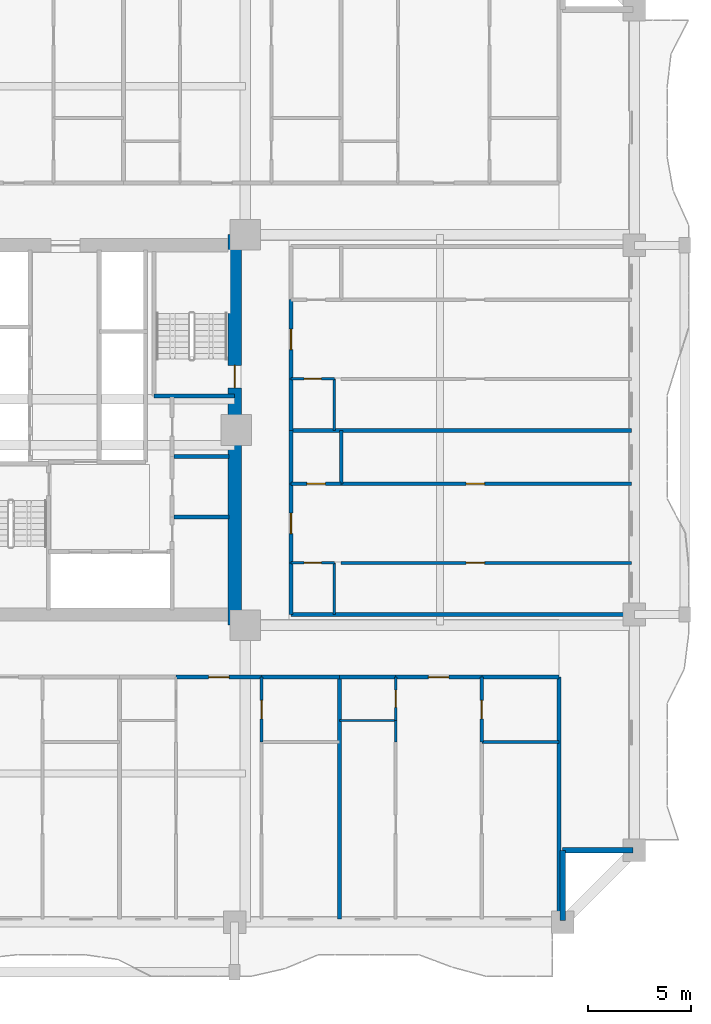
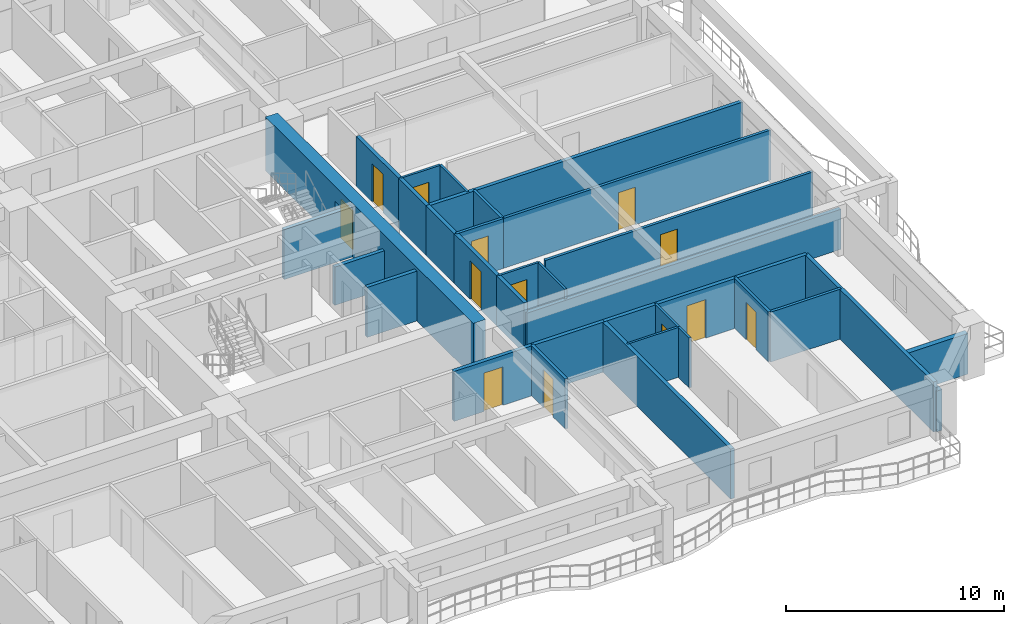
# One storey, part 5 of 16: 34 walls, 13 doors, 13 openings.
"""IFC4 building model written with IfcOpenShell, lengths in metres."""

from ifc_helpers import new_model, si_unit, direction, frame, frame_2d, origin, place, context, subcontext, project, spatial, rectangle, extrude, source, transform, mapped, material, layer, layer_set, type_object, element, fill, save


model = new_model("IFC4")

# Units and contexts
model_context = context("Model", 3, precision=1e-05, world=origin(), true_north=direction((0.0, 1.0)))
body_context = subcontext(model_context, "Body", "Model", "MODEL_VIEW")
ifc_project = project(units=[si_unit("LENGTHUNIT", "METRE"), si_unit("AREAUNIT", "SQUARE_METRE"), si_unit("VOLUMEUNIT", "CUBIC_METRE"), si_unit("PLANEANGLEUNIT", "RADIAN"), si_unit("MASSUNIT", "GRAM", prefix="KILO")], contexts=[model_context])

# Site, building, storey
site_placement = place(None, origin())
site = spatial("IfcSite", under=ifc_project, at=site_placement, CompositionType="ELEMENT")
building_placement = place(site_placement, origin())
building = spatial("IfcBuilding", under=site, at=building_placement, Name="Saelheon Loggia Tower", CompositionType="ELEMENT")
storey_placement = place(building_placement, frame((0.0, 0.0, 28.39990234375)))
storey = spatial("IfcBuildingStorey", under=building, at=storey_placement, Name="L08", CompositionType="ELEMENT", Elevation=28.39990234375)

# Wall, opening, door
ifc_material_1 = material(Name="Concrete C60/75", Category="concrete")
ifc_layer_1 = layer(ifc_material_1, 0.64990234375)
ifc_layer_set_1 = layer_set([ifc_layer_1], Name="Concrete C60/75")
wall_type_1 = type_object("IfcWallType", Name="Wall_CoreShear_650", PredefinedType="SHEAR", material=ifc_layer_set_1)
wall_1_placement = place(storey_placement, frame((44.5, 17.47998046875, 0.0), z_axis=(0.0, 0.0, 1.0), x_axis=(0.0, 1.0, 0.0)))
wall_1 = element("IfcWall", 1, at=wall_1_placement, inside=storey, type_object=wall_type_1, Name="L08 Core Shear Wall East", PredefinedType="SHEAR", context=body_context, shape_type="SweptSolid", body=[
    extrude(rectangle(XDim=19.0400390625, YDim=0.64990234375, at=frame_2d((9.52001953125, 0.0))), origin(), (0.0, 0.0, 1.0), 3.0),
])
opening_1_placement = place(wall_1_placement, frame((12.670166015625, 0.0, 0.0), z_axis=(0.0, 0.0, 1.0), x_axis=(-1.0, 0.0, 0.0)))
opening_1 = element("IfcOpeningElement", 2, at=opening_1_placement, cuts=wall_1, Name="Opening D-FD2", PredefinedType="OPENING", context=body_context, shape_type="SweptSolid", body=[
    extrude(rectangle(XDim=1.10009765625, YDim=2.14990234375, at=frame_2d((0.550048828125, 1.074951171875))), frame((0.0, 0.3369140625, 0.0), z_axis=(0.0, -1.0, 0.0), x_axis=(1.0, 0.0, 0.0)), (0.0, 0.0, 1.0), 0.673828125),
])
ifc_material_2 = material(Name="Galvanised Steel Fire Door", Category="steel")
door_type_1 = type_object("IfcDoorType", Name="Door_Fire_FD60_1100", OperationType="NOTDEFINED", PredefinedType="DOOR", material=ifc_material_2)
shared_shape_1 = source(origin(), body_context, "Body", "SweptSolid", [
    extrude(rectangle(XDim=1.10009765625, YDim=2.14990234375, at=frame_2d((0.550048828125, 1.074951171875))), frame((0.0, 0.02490234375, 0.0), z_axis=(0.0, -1.0, 0.0), x_axis=(1.0, 0.0, 0.0)), (0.0, 0.0, 1.0), 0.050048828125),
])
door_1_placement = place(opening_1_placement, origin())
door_1 = element("IfcDoor", 3, at=door_1_placement, inside=storey, type_object=door_type_1, Name="L08 Stair ST2 Corridor Door", OperationType="SINGLE_SWING_RIGHT", OverallHeight=2.14990234375, OverallWidth=1.10009765625, PredefinedType="DOOR", context=body_context, shape_type="MappedRepresentation", body=[
    mapped(shared_shape_1, transform((0.0, 0.0, 0.0), scale=1.0)),
])
fill(opening_1, door_1)

# Walls
ifc_material_3 = material(Name="Architectural Precast Concrete C40/50", Category="concrete")
ifc_layer_2 = layer(ifc_material_3, 0.280029296875)
ifc_layer_set_2 = layer_set([ifc_layer_2], Name="Architectural Precast Concrete C40/50")
wall_type_2 = type_object("IfcWallType", Name="Wall_Ext_Loggia_280", PredefinedType="SOLIDWALL", material=ifc_layer_set_2)
for number, where, z_axis, x_axis, name in (
    (4, (60.5, 3.080078125, 0.0), (0.0, 0.0, 1.0), (0.0, 1.0, 0.0), "L08 Corner Notch Precast Wall SE1"),
    (5, (60.5, 6.5, 0.0), (0.0, 0.0, 1.0), (1.0, 0.0, 0.0), "L08 Corner Notch Precast Wall SE2"),
):
    element("IfcWall", number, at=place(storey_placement, frame(where, z_axis=z_axis, x_axis=x_axis)), inside=storey, type_object=wall_type_2, Name=name, PredefinedType="SOLIDWALL", context=body_context, shape_type="SweptSolid", body=[
        extrude(rectangle(XDim=3.419921875, YDim=0.280029296875, at=frame_2d((1.7099609375, 0.0))), origin(), (0.0, 0.0, 1.0), 2.280029296875),
    ])

# Wall, opening, door
ifc_material_4 = material(Name="Lightweight Autoclaved Aerated Concrete Block and Acoustic Gypsum", Category="concrete")
ifc_layer_3 = layer(ifc_material_4, 0.14990234375)
ifc_layer_set_3 = layer_set([ifc_layer_3], Name="Lightweight Autoclaved Aerated Concrete Block and Acoustic Gypsum")
wall_type_3 = type_object("IfcWallType", Name="Wall_Part_150", PredefinedType="PARTITIONING", material=ifc_layer_set_3)
wall_2_placement = place(storey_placement, frame((45.820068359375, 14.949951171875, 0.0), z_axis=(0.0, 0.0, 1.0), x_axis=(0.0, -1.0, 0.0)))
wall_2 = element("IfcWall", 6, at=wall_2_placement, inside=storey, type_object=wall_type_3, Name="L08 S Partition U35", PredefinedType="PARTITIONING", context=body_context, shape_type="SweptSolid", body=[
    extrude(rectangle(XDim=3.169921875, YDim=0.14990234375, at=frame_2d((1.5849609375, 0.0))), origin(), (0.0, 0.0, 1.0), 2.7900390625),
])
opening_2_placement = place(wall_2_placement, frame((1.135009765625, 0.0, 0.0)))
opening_2 = element("IfcOpeningElement", 7, at=opening_2_placement, cuts=wall_2, Name="Opening D-IN2", PredefinedType="OPENING", context=body_context, shape_type="SweptSolid", body=[
    extrude(rectangle(XDim=0.89990234375, YDim=2.10009765625, at=frame_2d((0.449951171875, 1.050048828125))), frame((0.0, 0.0869140625, 0.0), z_axis=(0.0, -1.0, 0.0), x_axis=(1.0, 0.0, 0.0)), (0.0, 0.0, 1.0), 0.173828125),
])
ifc_material_5 = material(Name="Engineered Oak Flush Door", Category="timber")
door_type_2 = type_object("IfcDoorType", Name="Door_Int_900", OperationType="NOTDEFINED", PredefinedType="DOOR", material=ifc_material_5)
shared_shape_2 = source(origin(), body_context, "Body", "SweptSolid", [
    extrude(rectangle(XDim=0.89990234375, YDim=2.10009765625, at=frame_2d((0.449951171875, 1.050048828125))), frame((0.0, 0.02490234375, 0.0), z_axis=(0.0, -1.0, 0.0), x_axis=(1.0, 0.0, 0.0)), (0.0, 0.0, 1.0), 0.050048828125),
])
door_2_placement = place(opening_2_placement, origin())
door_2 = element("IfcDoor", 8, at=door_2_placement, inside=storey, type_object=door_type_2, Name="Unit U03 Dressing Closet Door", OperationType="SINGLE_SWING_LEFT", OverallHeight=2.10009765625, OverallWidth=0.89990234375, PredefinedType="DOOR", context=body_context, shape_type="MappedRepresentation", body=[
    mapped(shared_shape_2, transform((0.0, 0.0, 0.0), scale=1.0)),
])
fill(opening_2, door_2)

# Wall
wall_3_placement = place(storey_placement, frame((56.55419921875, 11.780029296875, 0.0), z_axis=(0.0, 0.0, 1.0), x_axis=(1.0, 0.0, 0.0)))
element("IfcWall", 9, at=wall_3_placement, inside=storey, type_object=wall_type_3, Name="L08 S Partition V42", PredefinedType="PARTITIONING", context=body_context, shape_type="SweptSolid", body=[
    extrude(rectangle(XDim=3.765869140625, YDim=0.14990234375, at=frame_2d((1.8828125, 0.0))), origin(), (0.0, 0.0, 1.0), 2.7900390625),
])

# Wall, opening, door
wall_4_placement = place(storey_placement, frame((56.55419921875, 14.949951171875, 0.0), z_axis=(0.0, 0.0, 1.0), x_axis=(0.0, -1.0, 0.0)))
wall_4 = element("IfcWall", 10, at=wall_4_placement, inside=storey, type_object=wall_type_3, Name="L08 S Partition U46", PredefinedType="PARTITIONING", context=body_context, shape_type="SweptSolid", body=[
    extrude(rectangle(XDim=3.169921875, YDim=0.14990234375, at=frame_2d((1.5849609375, 0.0))), origin(), (0.0, 0.0, 1.0), 2.7900390625),
])
opening_3_placement = place(wall_4_placement, frame((1.135009765625, 0.0, 0.0)))
opening_3 = element("IfcOpeningElement", 11, at=opening_3_placement, cuts=wall_4, Name="Opening D-IN2", PredefinedType="OPENING", context=body_context, shape_type="SweptSolid", body=[
    extrude(rectangle(XDim=0.89990234375, YDim=2.10009765625, at=frame_2d((0.449951171875, 1.050048828125))), frame((0.0, 0.0869140625, 0.0), z_axis=(0.0, -1.0, 0.0), x_axis=(1.0, 0.0, 0.0)), (0.0, 0.0, 1.0), 0.173828125),
])
door_3_placement = place(opening_3_placement, origin())
door_3 = element("IfcDoor", 12, at=door_3_placement, inside=storey, type_object=door_type_2, Name="Unit U04 Dressing Closet Door", OperationType="SINGLE_SWING_RIGHT", OverallHeight=2.10009765625, OverallWidth=0.89990234375, PredefinedType="DOOR", context=body_context, shape_type="MappedRepresentation", body=[
    mapped(shared_shape_2, transform((0.0, 0.0, 0.0), scale=1.0)),
])
fill(opening_3, door_3)

# Wall
wall_5_placement = place(storey_placement, frame((49.699951171875, 24.375, 0.0), z_axis=(0.0, 0.0, 1.0), x_axis=(0.0, 1.0, 0.0)))
element("IfcWall", 13, at=wall_5_placement, inside=storey, type_object=wall_type_3, Name="L08 E Partition V07", PredefinedType="PARTITIONING", context=body_context, shape_type="SweptSolid", body=[
    extrude(rectangle(XDim=2.60009765625, YDim=0.14990234375, at=frame_2d((1.300048828125, 0.0))), origin(), (0.0, 0.0, 1.0), 2.7900390625),
])

# Wall, opening, door
wall_6_placement = place(storey_placement, frame((49.699951171875, 20.512939453125, 0.0), z_axis=(0.0, 0.0, 1.0), x_axis=(1.0, 0.0, 0.0)))
wall_6 = element("IfcWall", 14, at=wall_6_placement, inside=storey, type_object=wall_type_3, Name="L08 E Partition U09", PredefinedType="PARTITIONING", context=body_context, shape_type="SweptSolid", body=[
    extrude(rectangle(XDim=14.150146484375, YDim=0.14990234375, at=frame_2d((7.0751953125, 0.0))), origin(), (0.0, 0.0, 1.0), 2.7900390625),
])
opening_4_placement = place(wall_6_placement, frame((6.093017578125, 0.0, 0.0)))
opening_4 = element("IfcOpeningElement", 15, at=opening_4_placement, cuts=wall_6, Name="Opening D-IN2", PredefinedType="OPENING", context=body_context, shape_type="SweptSolid", body=[
    extrude(rectangle(XDim=0.89990234375, YDim=2.10009765625, at=frame_2d((0.449951171875, 1.050048828125))), frame((0.0, 0.0869140625, 0.0), z_axis=(0.0, -1.0, 0.0), x_axis=(1.0, 0.0, 0.0)), (0.0, 0.0, 1.0), 0.173828125),
])
door_4_placement = place(opening_4_placement, origin())
door_4 = element("IfcDoor", 16, at=door_4_placement, inside=storey, type_object=door_type_2, Name="Unit U12 Kitchen Door", OperationType="SINGLE_SWING_RIGHT", OverallHeight=2.10009765625, OverallWidth=0.89990234375, PredefinedType="DOOR", context=body_context, shape_type="MappedRepresentation", body=[
    mapped(shared_shape_2, transform((0.0, 0.0, 0.0), scale=1.0)),
])
fill(opening_4, door_4)

wall_7_placement = place(storey_placement, frame((47.25, 24.375, 0.0), z_axis=(0.0, 0.0, 1.0), x_axis=(1.0, 0.0, 0.0)))
wall_7 = element("IfcWall", 17, at=wall_7_placement, inside=storey, type_object=wall_type_3, Name="L08 E Partition U10", PredefinedType="PARTITIONING", context=body_context, shape_type="SweptSolid", body=[
    extrude(rectangle(XDim=2.449951171875, YDim=0.14990234375, at=frame_2d((1.22509765625, 0.0))), origin(), (0.0, 0.0, 1.0), 2.7900390625),
])
opening_5_placement = place(wall_7_placement, frame((0.77490234375, 0.0, 0.0)))
opening_5 = element("IfcOpeningElement", 18, at=opening_5_placement, cuts=wall_7, Name="Opening D-IN2", PredefinedType="OPENING", context=body_context, shape_type="SweptSolid", body=[
    extrude(rectangle(XDim=0.89990234375, YDim=2.10009765625, at=frame_2d((0.449951171875, 1.050048828125))), frame((0.0, 0.0869140625, 0.0), z_axis=(0.0, -1.0, 0.0), x_axis=(1.0, 0.0, 0.0)), (0.0, 0.0, 1.0), 0.173828125),
])
door_5_placement = place(opening_5_placement, origin())
door_5 = element("IfcDoor", 19, at=door_5_placement, inside=storey, type_object=door_type_2, Name="Unit U12 Dressing Closet Door", OperationType="SINGLE_SWING_LEFT", OverallHeight=2.10009765625, OverallWidth=0.89990234375, PredefinedType="DOOR", context=body_context, shape_type="MappedRepresentation", body=[
    mapped(shared_shape_2, transform((0.0, 0.0, 0.0), scale=1.0)),
])
fill(opening_5, door_5)

wall_8_placement = place(storey_placement, frame((49.699951171875, 24.375, 0.0), z_axis=(0.0, 0.0, 1.0), x_axis=(1.0, 0.0, 0.0)))
wall_8 = element("IfcWall", 20, at=wall_8_placement, inside=storey, type_object=wall_type_3, Name="L08 E Partition U11", PredefinedType="PARTITIONING", context=body_context, shape_type="SweptSolid", body=[
    extrude(rectangle(XDim=14.150146484375, YDim=0.14990234375, at=frame_2d((7.0751953125, 0.0))), origin(), (0.0, 0.0, 1.0), 2.7900390625),
])
opening_6_placement = place(wall_8_placement, frame((6.093017578125, 0.0, 0.0)))
opening_6 = element("IfcOpeningElement", 21, at=opening_6_placement, cuts=wall_8, Name="Opening D-IN2", PredefinedType="OPENING", context=body_context, shape_type="SweptSolid", body=[
    extrude(rectangle(XDim=0.89990234375, YDim=2.10009765625, at=frame_2d((0.449951171875, 1.050048828125))), frame((0.0, 0.0869140625, 0.0), z_axis=(0.0, -1.0, 0.0), x_axis=(1.0, 0.0, 0.0)), (0.0, 0.0, 1.0), 0.173828125),
])
door_6_placement = place(opening_6_placement, origin())
door_6 = element("IfcDoor", 22, at=door_6_placement, inside=storey, type_object=door_type_2, Name="Unit U12 Bedroom 1 Door", OperationType="SINGLE_SWING_RIGHT", OverallHeight=2.10009765625, OverallWidth=0.89990234375, PredefinedType="DOOR", context=body_context, shape_type="MappedRepresentation", body=[
    mapped(shared_shape_2, transform((0.0, 0.0, 0.0), scale=1.0)),
])
fill(opening_6, door_6)

# Wall
ifc_material_6 = material(Name="Double Acoustic Stud and Fireboard Partition", Category="gypsum")
ifc_layer_4 = layer(ifc_material_6, 0.199951171875)
ifc_layer_set_4 = layer_set([ifc_layer_4], Name="Double Acoustic Stud and Fireboard Partition")
wall_type_4 = type_object("IfcWallType", Name="Wall_Party_200", PredefinedType="PARTITIONING", material=ifc_layer_set_4)
wall_9_placement = place(storey_placement, frame((60.320068359375, 14.949951171875, 0.0), z_axis=(0.0, 0.0, 1.0), x_axis=(0.0, -1.0, 0.0)))
element("IfcWall", 23, at=wall_9_placement, inside=storey, type_object=wall_type_4, Name="L08 S Partition U02", PredefinedType="PARTITIONING", context=body_context, shape_type="SweptSolid", body=[
    extrude(rectangle(XDim=11.800048828125, YDim=0.199951171875, at=frame_2d((5.89990234375, 0.0))), origin(), (0.0, 0.0, 1.0), 2.7900390625),
])

# Wall, opening, door
wall_10_placement = place(storey_placement, frame((41.642822265625, 14.949951171875, 0.0), z_axis=(0.0, 0.0, 1.0), x_axis=(1.0, 0.0, 0.0)))
wall_10 = element("IfcWall", 24, at=wall_10_placement, inside=storey, type_object=wall_type_4, Name="L08 S Partition V28", PredefinedType="PARTITIONING", context=body_context, shape_type="SweptSolid", body=[
    extrude(rectangle(XDim=4.17724609375, YDim=0.199951171875, at=frame_2d((2.088623046875, 0.0))), origin(), (0.0, 0.0, 1.0), 2.7900390625),
])
opening_7_placement = place(wall_10_placement, frame((1.588623046875, 0.0, 0.0)))
opening_7 = element("IfcOpeningElement", 25, at=opening_7_placement, cuts=wall_10, Name="Opening D-FD1", PredefinedType="OPENING", context=body_context, shape_type="SweptSolid", body=[
    extrude(rectangle(XDim=1.0, YDim=2.14990234375, at=frame_2d((0.5, 1.074951171875))), frame((0.0, 0.112060546875, 0.0), z_axis=(0.0, -1.0, 0.0), x_axis=(1.0, 0.0, 0.0)), (0.0, 0.0, 1.0), 0.223876953125),
])
ifc_material_7 = material(Name="Fire-Rated Engineered Timber Entrance Door", Category="wood")
door_type_3 = type_object("IfcDoorType", Name="Door_Flat_FD30S", OperationType="NOTDEFINED", PredefinedType="DOOR", material=ifc_material_7)
shared_shape_3 = source(origin(), body_context, "Body", "SweptSolid", [
    extrude(rectangle(XDim=1.0, YDim=2.14990234375, at=frame_2d((0.5, 1.074951171875))), frame((0.0, 0.02490234375, 0.0), z_axis=(0.0, -1.0, 0.0), x_axis=(1.0, 0.0, 0.0)), (0.0, 0.0, 1.0), 0.050048828125),
])
door_7_placement = place(opening_7_placement, origin())
door_7 = element("IfcDoor", 26, at=door_7_placement, inside=storey, type_object=door_type_3, Name="Unit U03 Entrance Door", OperationType="SINGLE_SWING_RIGHT", OverallHeight=2.14990234375, OverallWidth=1.0, PredefinedType="DOOR", context=body_context, shape_type="MappedRepresentation", body=[
    mapped(shared_shape_3, transform((0.0, 0.0, 0.0), scale=1.0)),
])
fill(opening_7, door_7)

# Walls
wall_11_placement = place(storey_placement, frame((45.820068359375, 14.949951171875, 0.0), z_axis=(0.0, 0.0, 1.0), x_axis=(1.0, 0.0, 0.0)))
element("IfcWall", 27, at=wall_11_placement, inside=storey, type_object=wall_type_4, Name="L08 S Partition V29", PredefinedType="PARTITIONING", context=body_context, shape_type="SweptSolid", body=[
    extrude(rectangle(XDim=3.786376953125, YDim=0.199951171875, at=frame_2d((1.89306640625, 0.0))), origin(), (0.0, 0.0, 1.0), 2.7900390625),
])
wall_12_placement = place(storey_placement, frame((49.6064453125, 14.949951171875, 0.0), z_axis=(0.0, 0.0, 1.0), x_axis=(0.0, -1.0, 0.0)))
element("IfcWall", 28, at=wall_12_placement, inside=storey, type_object=wall_type_4, Name="L08 S Partition U37", PredefinedType="PARTITIONING", context=body_context, shape_type="SweptSolid", body=[
    extrude(rectangle(XDim=11.800048828125, YDim=0.199951171875, at=frame_2d((5.89990234375, 0.0))), origin(), (0.0, 0.0, 1.0), 2.7900390625),
])
wall_13_placement = place(storey_placement, frame((49.6064453125, 14.949951171875, 0.0), z_axis=(0.0, 0.0, 1.0), x_axis=(1.0, 0.0, 0.0)))
element("IfcWall", 29, at=wall_13_placement, inside=storey, type_object=wall_type_4, Name="L08 S Partition V38", PredefinedType="PARTITIONING", context=body_context, shape_type="SweptSolid", body=[
    extrude(rectangle(XDim=2.75, YDim=0.199951171875, at=frame_2d((1.375, 0.0))), origin(), (0.0, 0.0, 1.0), 2.7900390625),
])

# Wall, opening, door
wall_14_placement = place(storey_placement, frame((52.3564453125, 14.949951171875, 0.0), z_axis=(0.0, 0.0, 1.0), x_axis=(1.0, 0.0, 0.0)))
wall_14 = element("IfcWall", 30, at=wall_14_placement, inside=storey, type_object=wall_type_4, Name="L08 S Partition V39", PredefinedType="PARTITIONING", context=body_context, shape_type="SweptSolid", body=[
    extrude(rectangle(XDim=4.19775390625, YDim=0.199951171875, at=frame_2d((2.098876953125, 0.0))), origin(), (0.0, 0.0, 1.0), 2.7900390625),
])
opening_8_placement = place(wall_14_placement, frame((1.598876953125, 0.0, 0.0)))
opening_8 = element("IfcOpeningElement", 31, at=opening_8_placement, cuts=wall_14, Name="Opening D-FD1", PredefinedType="OPENING", context=body_context, shape_type="SweptSolid", body=[
    extrude(rectangle(XDim=1.0, YDim=2.14990234375, at=frame_2d((0.5, 1.074951171875))), frame((0.0, 0.112060546875, 0.0), z_axis=(0.0, -1.0, 0.0), x_axis=(1.0, 0.0, 0.0)), (0.0, 0.0, 1.0), 0.223876953125),
])
door_8_placement = place(opening_8_placement, origin())
door_8 = element("IfcDoor", 32, at=door_8_placement, inside=storey, type_object=door_type_3, Name="Unit U04 Entrance Door", OperationType="SINGLE_SWING_LEFT", OverallHeight=2.14990234375, OverallWidth=1.0, PredefinedType="DOOR", context=body_context, shape_type="MappedRepresentation", body=[
    mapped(shared_shape_3, transform((0.0, 0.0, 0.0), scale=1.0)),
])
fill(opening_8, door_8)

# Walls
wall_15_placement = place(storey_placement, frame((56.55419921875, 14.949951171875, 0.0), z_axis=(0.0, 0.0, 1.0), x_axis=(1.0, 0.0, 0.0)))
element("IfcWall", 33, at=wall_15_placement, inside=storey, type_object=wall_type_4, Name="L08 S Partition V40", PredefinedType="PARTITIONING", context=body_context, shape_type="SweptSolid", body=[
    extrude(rectangle(XDim=3.765869140625, YDim=0.199951171875, at=frame_2d((1.8828125, 0.0))), origin(), (0.0, 0.0, 1.0), 2.7900390625),
])
wall_16_placement = place(storey_placement, frame((47.25, 18.0, 0.0), z_axis=(0.0, 0.0, 1.0), x_axis=(1.0, 0.0, 0.0)))
element("IfcWall", 34, at=wall_16_placement, inside=storey, type_object=wall_type_4, Name="L08 E Partition U01", PredefinedType="PARTITIONING", context=body_context, shape_type="SweptSolid", body=[
    extrude(rectangle(XDim=16.60009765625, YDim=0.199951171875, at=frame_2d((8.300048828125, 0.0))), origin(), (0.0, 0.0, 1.0), 2.239990234375),
])
wall_17_placement = place(storey_placement, frame((47.25, 18.0, 0.0), z_axis=(0.0, 0.0, 1.0), x_axis=(0.0, 1.0, 0.0)))
element("IfcWall", 35, at=wall_17_placement, inside=storey, type_object=wall_type_4, Name="L08 E Partition V03", PredefinedType="PARTITIONING", context=body_context, shape_type="SweptSolid", body=[
    extrude(rectangle(XDim=2.512939453125, YDim=0.199951171875, at=frame_2d((1.25634765625, 0.0))), origin(), (0.0, 0.0, 1.0), 2.7900390625),
])

# Wall, opening, door
wall_18_placement = place(storey_placement, frame((47.25, 20.512939453125, 0.0), z_axis=(0.0, 0.0, 1.0), x_axis=(0.0, 1.0, 0.0)))
wall_18 = element("IfcWall", 36, at=wall_18_placement, inside=storey, type_object=wall_type_4, Name="L08 E Partition V04", PredefinedType="PARTITIONING", context=body_context, shape_type="SweptSolid", body=[
    extrude(rectangle(XDim=3.862060546875, YDim=0.199951171875, at=frame_2d((1.93115234375, 0.0))), origin(), (0.0, 0.0, 1.0), 2.7900390625),
])
opening_9_placement = place(wall_18_placement, frame((1.430908203125, 0.0, 0.0)))
opening_9 = element("IfcOpeningElement", 37, at=opening_9_placement, cuts=wall_18, Name="Opening D-FD1", PredefinedType="OPENING", context=body_context, shape_type="SweptSolid", body=[
    extrude(rectangle(XDim=1.0, YDim=2.14990234375, at=frame_2d((0.5, 1.074951171875))), frame((0.0, 0.112060546875, 0.0), z_axis=(0.0, -1.0, 0.0), x_axis=(1.0, 0.0, 0.0)), (0.0, 0.0, 1.0), 0.223876953125),
])
door_9_placement = place(opening_9_placement, origin())
door_9 = element("IfcDoor", 38, at=door_9_placement, inside=storey, type_object=door_type_3, Name="Unit U12 Entrance Door", OperationType="SINGLE_SWING_RIGHT", OverallHeight=2.14990234375, OverallWidth=1.0, PredefinedType="DOOR", context=body_context, shape_type="MappedRepresentation", body=[
    mapped(shared_shape_3, transform((0.0, 0.0, 0.0), scale=1.0)),
])
fill(opening_9, door_9)

# Walls
wall_19_placement = place(storey_placement, frame((47.25, 24.375, 0.0), z_axis=(0.0, 0.0, 1.0), x_axis=(0.0, 1.0, 0.0)))
element("IfcWall", 39, at=wall_19_placement, inside=storey, type_object=wall_type_4, Name="L08 E Partition V05", PredefinedType="PARTITIONING", context=body_context, shape_type="SweptSolid", body=[
    extrude(rectangle(XDim=2.60009765625, YDim=0.199951171875, at=frame_2d((1.300048828125, 0.0))), origin(), (0.0, 0.0, 1.0), 2.7900390625),
])
wall_20_placement = place(storey_placement, frame((47.25, 26.97509765625, 0.0), z_axis=(0.0, 0.0, 1.0), x_axis=(1.0, 0.0, 0.0)))
element("IfcWall", 40, at=wall_20_placement, inside=storey, type_object=wall_type_4, Name="L08 E Partition U12", PredefinedType="PARTITIONING", context=body_context, shape_type="SweptSolid", body=[
    extrude(rectangle(XDim=16.60009765625, YDim=0.199951171875, at=frame_2d((8.300048828125, 0.0))), origin(), (0.0, 0.0, 1.0), 2.7900390625),
])
wall_21_placement = place(storey_placement, frame((47.25, 26.97509765625, 0.0), z_axis=(0.0, 0.0, 1.0), x_axis=(0.0, 1.0, 0.0)))
element("IfcWall", 41, at=wall_21_placement, inside=storey, type_object=wall_type_4, Name="L08 E Partition V13", PredefinedType="PARTITIONING", context=body_context, shape_type="SweptSolid", body=[
    extrude(rectangle(XDim=2.512939453125, YDim=0.199951171875, at=frame_2d((1.25634765625, 0.0))), origin(), (0.0, 0.0, 1.0), 2.7900390625),
])

# Wall, opening, door
wall_22_placement = place(storey_placement, frame((47.25, 29.488037109375, 0.0), z_axis=(0.0, 0.0, 1.0), x_axis=(0.0, 1.0, 0.0)))
wall_22 = element("IfcWall", 42, at=wall_22_placement, inside=storey, type_object=wall_type_4, Name="L08 E Partition V14", PredefinedType="PARTITIONING", context=body_context, shape_type="SweptSolid", body=[
    extrude(rectangle(XDim=3.862060546875, YDim=0.199951171875, at=frame_2d((1.93115234375, 0.0))), origin(), (0.0, 0.0, 1.0), 2.7900390625),
])
opening_10_placement = place(wall_22_placement, frame((1.430908203125, 0.0, 0.0)))
opening_10 = element("IfcOpeningElement", 43, at=opening_10_placement, cuts=wall_22, Name="Opening D-FD1", PredefinedType="OPENING", context=body_context, shape_type="SweptSolid", body=[
    extrude(rectangle(XDim=1.0, YDim=2.14990234375, at=frame_2d((0.5, 1.074951171875))), frame((0.0, 0.112060546875, 0.0), z_axis=(0.0, -1.0, 0.0), x_axis=(1.0, 0.0, 0.0)), (0.0, 0.0, 1.0), 0.223876953125),
])
door_10_placement = place(opening_10_placement, origin())
door_10 = element("IfcDoor", 44, at=door_10_placement, inside=storey, type_object=door_type_3, Name="Unit U13 Entrance Door", OperationType="SINGLE_SWING_LEFT", OverallHeight=2.14990234375, OverallWidth=1.0, PredefinedType="DOOR", context=body_context, shape_type="MappedRepresentation", body=[
    mapped(shared_shape_3, transform((0.0, 0.0, 0.0), scale=1.0)),
])
fill(opening_10, door_10)

# Walls
ifc_material_8 = material(Name="Concrete C40/50", Category="concrete")
ifc_layer_5 = layer(ifc_material_8, 0.199951171875)
ifc_layer_set_5 = layer_set([ifc_layer_5], Name="Concrete C40/50")
wall_type_5 = type_object("IfcWallType", Name="Wall_Shaft_200", PredefinedType="PARTITIONING", material=ifc_layer_set_5)
wall_23_placement = place(storey_placement, frame((41.550048828125, 22.75, 0.0), z_axis=(0.0, 0.0, 1.0), x_axis=(1.0, 0.0, 0.0)))
element("IfcWall", 45, at=wall_23_placement, inside=storey, type_object=wall_type_5, Name="CW-BOH-L08-H1", PredefinedType="PARTITIONING", context=body_context, shape_type="SweptSolid", body=[
    extrude(rectangle(XDim=2.669921875, YDim=0.199951171875, at=frame_2d((1.3349609375, 0.0))), origin(), (0.0, 0.0, 1.0), 2.7900390625),
])
wall_24_placement = place(storey_placement, frame((41.550048828125, 25.699951171875, 0.0), z_axis=(0.0, 0.0, 1.0), x_axis=(1.0, 0.0, 0.0)))
element("IfcWall", 46, at=wall_24_placement, inside=storey, type_object=wall_type_5, Name="CW-BOH-L08-H2", PredefinedType="PARTITIONING", context=body_context, shape_type="SweptSolid", body=[
    extrude(rectangle(XDim=2.669921875, YDim=0.199951171875, at=frame_2d((1.3349609375, 0.0))), origin(), (0.0, 0.0, 1.0), 2.14013671875),
])
ifc_material_9 = material(Name="Concrete C45/55", Category="concrete")
ifc_layer_6 = layer(ifc_material_9, 0.199951171875)
ifc_layer_set_6 = layer_set([ifc_layer_6], Name="Concrete C45/55")
wall_type_6 = type_object("IfcWallType", Name="Wall_StairShaft_RC200", PredefinedType="SOLIDWALL", material=ifc_layer_set_6)
wall_25_placement = place(storey_placement, frame((40.570068359375, 28.64990234375, 0.0), z_axis=(0.0, 0.0, 1.0), x_axis=(1.0, 0.0, 0.0)))
element("IfcWall", 47, at=wall_25_placement, inside=storey, type_object=wall_type_6, Name="L08 Stair ST2 South Wall", PredefinedType="SOLIDWALL", context=body_context, shape_type="SweptSolid", body=[
    extrude(rectangle(XDim=3.929931640625, YDim=0.199951171875, at=frame_2d((1.96484375, 0.0))), origin(), (0.0, 0.0, 1.0), 2.7900390625),
])
ifc_material_10 = material(Name="Moisture-Resistant Cement Board Partition", Category="gypsum")
ifc_layer_7 = layer(ifc_material_10, 0.1201171875)
ifc_layer_set_7 = layer_set([ifc_layer_7], Name="Moisture-Resistant Cement Board Partition")
wall_type_7 = type_object("IfcWallType", Name="Wall_WetPart_120", PredefinedType="PARTITIONING", material=ifc_layer_set_7)
wall_26_placement = place(storey_placement, frame((49.6064453125, 12.830078125, 0.0), z_axis=(0.0, 0.0, 1.0), x_axis=(1.0, 0.0, 0.0)))
element("IfcWall", 48, at=wall_26_placement, inside=storey, type_object=wall_type_7, Name="L08 S Partition V41", PredefinedType="PARTITIONING", context=body_context, shape_type="SweptSolid", body=[
    extrude(rectangle(XDim=2.75, YDim=0.1201171875, at=frame_2d((1.375, 0.0))), origin(), (0.0, 0.0, 1.0), 2.7900390625),
])

# Wall, opening, door
wall_27_placement = place(storey_placement, frame((52.3564453125, 14.949951171875, 0.0), z_axis=(0.0, 0.0, 1.0), x_axis=(0.0, -1.0, 0.0)))
wall_27 = element("IfcWall", 49, at=wall_27_placement, inside=storey, type_object=wall_type_7, Name="L08 S Partition U43", PredefinedType="PARTITIONING", context=body_context, shape_type="SweptSolid", body=[
    extrude(rectangle(XDim=2.119873046875, YDim=0.1201171875, at=frame_2d((1.06005859375, 0.0))), origin(), (0.0, 0.0, 1.0), 2.7900390625),
])
opening_11_placement = place(wall_27_placement, frame((0.635009765625, 0.0, 0.0)))
opening_11 = element("IfcOpeningElement", 50, at=opening_11_placement, cuts=wall_27, Name="Opening D-BT1", PredefinedType="OPENING", context=body_context, shape_type="SweptSolid", body=[
    extrude(rectangle(XDim=0.85009765625, YDim=2.050048828125, at=frame_2d((0.425048828125, 1.02490234375))), frame((0.0, 0.072021484375, 0.0), z_axis=(0.0, -1.0, 0.0), x_axis=(1.0, 0.0, 0.0)), (0.0, 0.0, 1.0), 0.14404296875),
])
ifc_material_11 = material(Name="Moisture-Resistant Laminate Timber Door", Category="wood")
door_type_4 = type_object("IfcDoorType", Name="Door_Bath_850", OperationType="NOTDEFINED", PredefinedType="DOOR", material=ifc_material_11)
shared_shape_4 = source(origin(), body_context, "Body", "SweptSolid", [
    extrude(rectangle(XDim=0.85009765625, YDim=2.050048828125, at=frame_2d((0.425048828125, 1.02490234375))), frame((0.0, 0.02490234375, 0.0), z_axis=(0.0, -1.0, 0.0), x_axis=(1.0, 0.0, 0.0)), (0.0, 0.0, 1.0), 0.050048828125),
])
door_11_placement = place(opening_11_placement, origin())
door_11 = element("IfcDoor", 51, at=door_11_placement, inside=storey, type_object=door_type_4, Name="Unit U04 Bathroom Door", OperationType="SINGLE_SWING_RIGHT", OverallHeight=2.050048828125, OverallWidth=0.85009765625, PredefinedType="DOOR", context=body_context, shape_type="MappedRepresentation", body=[
    mapped(shared_shape_4, transform((0.0, 0.0, 0.0), scale=1.0)),
])
fill(opening_11, door_11)

# Walls
wall_28_placement = place(storey_placement, frame((52.3564453125, 12.830078125, 0.0), z_axis=(0.0, 0.0, 1.0), x_axis=(0.0, -1.0, 0.0)))
element("IfcWall", 52, at=wall_28_placement, inside=storey, type_object=wall_type_7, Name="L08 S Partition U44", PredefinedType="PARTITIONING", context=body_context, shape_type="SweptSolid", body=[
    extrude(rectangle(XDim=1.050048828125, YDim=0.1201171875, at=frame_2d((0.52490234375, 0.0))), origin(), (0.0, 0.0, 1.0), 2.7900390625),
])
wall_29_placement = place(storey_placement, frame((49.3701171875, 18.0, 0.0), z_axis=(0.0, 0.0, 1.0), x_axis=(0.0, 1.0, 0.0)))
element("IfcWall", 53, at=wall_29_placement, inside=storey, type_object=wall_type_7, Name="L08 E Partition V06", PredefinedType="PARTITIONING", context=body_context, shape_type="SweptSolid", body=[
    extrude(rectangle(XDim=2.512939453125, YDim=0.1201171875, at=frame_2d((1.25634765625, 0.0))), origin(), (0.0, 0.0, 1.0), 2.7900390625),
])

# Wall, opening, door
wall_30_placement = place(storey_placement, frame((47.25, 20.512939453125, 0.0), z_axis=(0.0, 0.0, 1.0), x_axis=(1.0, 0.0, 0.0)))
wall_30 = element("IfcWall", 54, at=wall_30_placement, inside=storey, type_object=wall_type_7, Name="L08 E Partition U08", PredefinedType="PARTITIONING", context=body_context, shape_type="SweptSolid", body=[
    extrude(rectangle(XDim=2.1201171875, YDim=0.1201171875, at=frame_2d((1.06005859375, 0.0))), origin(), (0.0, 0.0, 1.0), 2.7900390625),
])
opening_12_placement = place(wall_30_placement, frame((0.635009765625, 0.0, 0.0)))
opening_12 = element("IfcOpeningElement", 55, at=opening_12_placement, cuts=wall_30, Name="Opening D-BT1", PredefinedType="OPENING", context=body_context, shape_type="SweptSolid", body=[
    extrude(rectangle(XDim=0.85009765625, YDim=2.050048828125, at=frame_2d((0.425048828125, 1.02490234375))), frame((0.0, 0.072021484375, 0.0), z_axis=(0.0, -1.0, 0.0), x_axis=(1.0, 0.0, 0.0)), (0.0, 0.0, 1.0), 0.14404296875),
])
door_12_placement = place(opening_12_placement, origin())
door_12 = element("IfcDoor", 56, at=door_12_placement, inside=storey, type_object=door_type_4, Name="Unit U12 Bathroom Door", OperationType="SINGLE_SWING_LEFT", OverallHeight=2.050048828125, OverallWidth=0.85009765625, PredefinedType="DOOR", context=body_context, shape_type="MappedRepresentation", body=[
    mapped(shared_shape_4, transform((0.0, 0.0, 0.0), scale=1.0)),
])
fill(opening_12, door_12)

# Wall
wall_31_placement = place(storey_placement, frame((49.3701171875, 26.97509765625, 0.0), z_axis=(0.0, 0.0, 1.0), x_axis=(0.0, 1.0, 0.0)))
element("IfcWall", 57, at=wall_31_placement, inside=storey, type_object=wall_type_7, Name="L08 E Partition V16", PredefinedType="PARTITIONING", context=body_context, shape_type="SweptSolid", body=[
    extrude(rectangle(XDim=2.512939453125, YDim=0.1201171875, at=frame_2d((1.25634765625, 0.0))), origin(), (0.0, 0.0, 1.0), 2.7900390625),
])

# Wall, opening, door
wall_32_placement = place(storey_placement, frame((47.25, 29.488037109375, 0.0), z_axis=(0.0, 0.0, 1.0), x_axis=(1.0, 0.0, 0.0)))
wall_32 = element("IfcWall", 58, at=wall_32_placement, inside=storey, type_object=wall_type_7, Name="L08 E Partition U18", PredefinedType="PARTITIONING", context=body_context, shape_type="SweptSolid", body=[
    extrude(rectangle(XDim=2.1201171875, YDim=0.1201171875, at=frame_2d((1.06005859375, 0.0))), origin(), (0.0, 0.0, 1.0), 2.7900390625),
])
opening_13_placement = place(wall_32_placement, frame((0.635009765625, 0.0, 0.0)))
opening_13 = element("IfcOpeningElement", 59, at=opening_13_placement, cuts=wall_32, Name="Opening D-BT1", PredefinedType="OPENING", context=body_context, shape_type="SweptSolid", body=[
    extrude(rectangle(XDim=0.85009765625, YDim=2.050048828125, at=frame_2d((0.425048828125, 1.02490234375))), frame((0.0, 0.072021484375, 0.0), z_axis=(0.0, -1.0, 0.0), x_axis=(1.0, 0.0, 0.0)), (0.0, 0.0, 1.0), 0.14404296875),
])
door_13_placement = place(opening_13_placement, origin())
door_13 = element("IfcDoor", 60, at=door_13_placement, inside=storey, type_object=door_type_4, Name="Unit U13 Bathroom Door", OperationType="SINGLE_SWING_RIGHT", OverallHeight=2.050048828125, OverallWidth=0.85009765625, PredefinedType="DOOR", context=body_context, shape_type="MappedRepresentation", body=[
    mapped(shared_shape_4, transform((0.0, 0.0, 0.0), scale=1.0)),
])
fill(opening_13, door_13)

save(model, "model.ifc")
